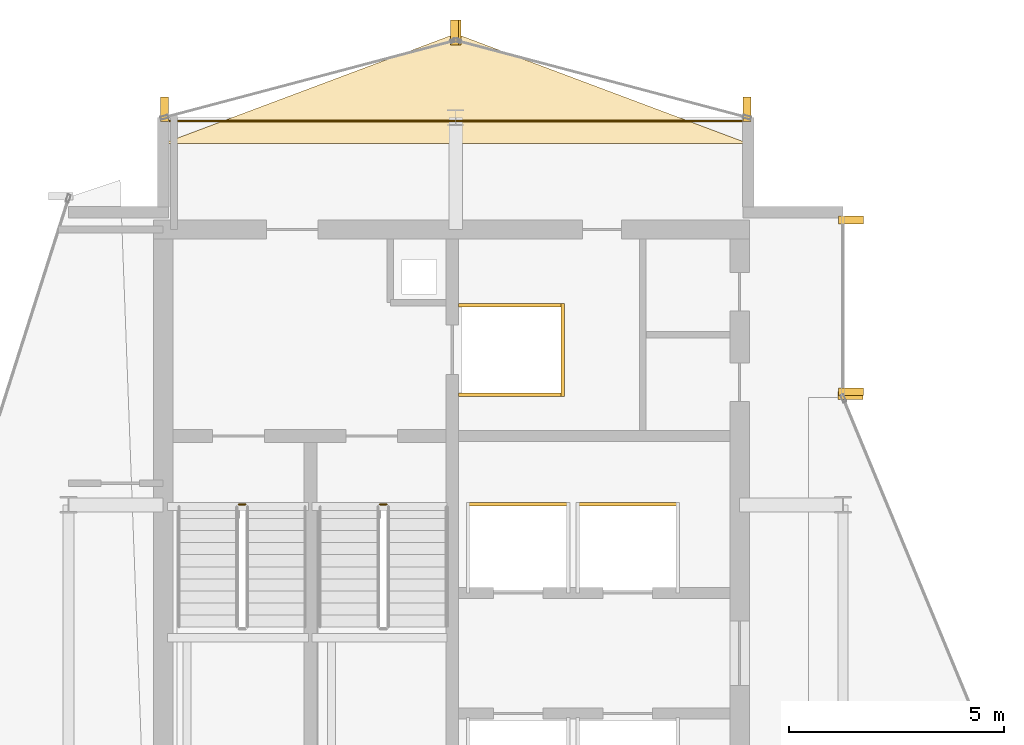
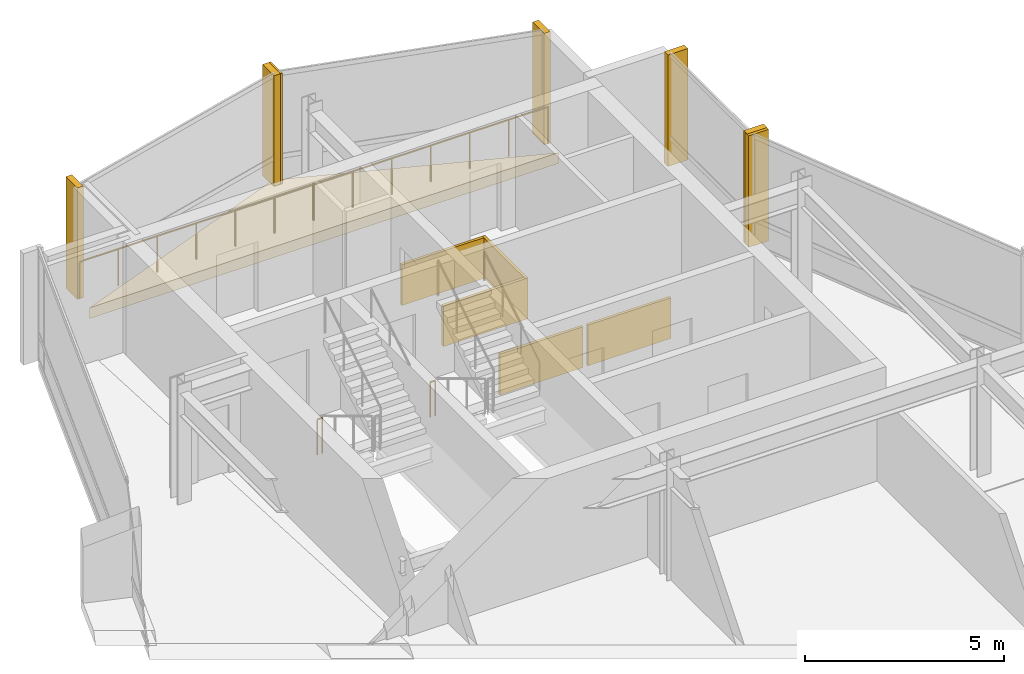
# One storey, part 19 of 19: 13 coverings, 3 railings.
"""IFC4 building model written with IfcOpenShell, lengths in metres."""

from ifc_helpers import new_model, si_unit, direction, frame, origin, origin_2d, place, context, subcontext, project, spatial, polyline, rectangle, circle, outline, extrude, material, layer, layer_set, type_object, element, save


model = new_model("IFC4")

# Units and contexts
model_context = context("Model", 3, precision=1e-05, world=origin(), true_north=direction((0.0, 1.0)))
body_context = subcontext(model_context, "Body", "Model", "MODEL_VIEW")
ifc_project = project(units=[si_unit("LENGTHUNIT", "METRE"), si_unit("AREAUNIT", "SQUARE_METRE"), si_unit("VOLUMEUNIT", "CUBIC_METRE"), si_unit("PLANEANGLEUNIT", "RADIAN"), si_unit("MASSUNIT", "GRAM", prefix="KILO")], contexts=[model_context])

# Site, building, storey
site_placement = place(None, origin())
site = spatial("IfcSite", under=ifc_project, at=site_placement, CompositionType="ELEMENT")
building_placement = place(site_placement, origin())
building = spatial("IfcBuilding", under=site, at=building_placement, Name="Solvaryn Broadcast Tower", CompositionType="ELEMENT")
storey_placement = place(building_placement, frame((0.0, 0.0, 266.699951171875)))
storey = spatial("IfcBuildingStorey", under=building, at=storey_placement, Name="L67", CompositionType="ELEMENT", Elevation=266.699951171875)

# Coverings
ifc_material_1 = material(Name="Fire-Rated Gypsum Shaftwall Liner", Category="concrete")
ifc_layer_1 = layer(ifc_material_1, 0.080078125)
ifc_layer_set_1 = layer_set([ifc_layer_1], Name="CV-SHAFT-LINER")
covering_type_1 = type_object("IfcCoveringType", Name="CV-SHAFT-LINER", PredefinedType="CLADDING", material=ifc_layer_set_1)
for number, where, z_axis, x_axis, name in (
    (1, (19.300048828125, 40.639892578125, 0.0), (0.0, 0.0, 1.0), (1.0, 0.0, 0.0), "L67 FL1 Hoistway Shaft Liner North"),
    (2, (19.300048828125, 38.56005859375, 0.0), (0.0, 0.0, 1.0), (1.0, 0.0, 0.0), "L67 FL1 Hoistway Shaft Liner South"),
):
    element("IfcCovering", number, at=place(storey_placement, frame(where, z_axis=z_axis, x_axis=x_axis)), inside=storey, type_object=covering_type_1, Name=name, PredefinedType="CLADDING", context=body_context, shape_type="SweptSolid", body=[
        extrude(rectangle(XDim=2.4599609375, YDim=0.080078125, at=origin_2d()), origin(), (0.0, 0.0, 1.0), 1.25),
    ])
covering_1_placement = place(storey_placement, frame((20.489990234375, 39.60009765625, 0.0), z_axis=(0.0, 0.0, 1.0), x_axis=(1.0, 0.0, 0.0)))
element("IfcCovering", 3, at=covering_1_placement, inside=storey, type_object=covering_type_1, Name="L67 FL1 Hoistway Shaft Liner East", PredefinedType="CLADDING", context=body_context, shape_type="SweptSolid", body=[
    extrude(rectangle(XDim=0.080078125, YDim=2.159912109375, at=origin_2d()), origin(), (0.0, 0.0, 1.0), 1.25),
])
for number, where, z_axis, x_axis, name in (
    (4, (19.449951171875, 36.014892578125, 0.0), (0.0, 0.0, 1.0), (1.0, 0.0, 0.0), "L67 PH3 Hoistway Shaft Liner North"),
    (5, (22.0, 36.014892578125, 0.0), (0.0, 0.0, 1.0), (1.0, 0.0, 0.0), "L67 PH4 Hoistway Shaft Liner North"),
):
    element("IfcCovering", number, at=place(storey_placement, frame(where, z_axis=z_axis, x_axis=x_axis)), inside=storey, type_object=covering_type_1, Name=name, PredefinedType="CLADDING", context=body_context, shape_type="SweptSolid", body=[
        extrude(rectangle(XDim=2.409912109375, YDim=0.080078125, at=origin_2d()), origin(), (0.0, 0.0, 1.0), 1.25),
    ])
ifc_material_2 = material(Name="Extruded Architectural Terracotta Fin", Category="masonry")
ifc_layer_2 = layer(ifc_material_2, 0.179931640625)
ifc_layer_set_2 = layer_set([ifc_layer_2], Name="CV-TC-FIN")
covering_type_2 = type_object("IfcCoveringType", Name="CV-TC-FIN", PredefinedType="USERDEFINED", material=ifc_layer_set_2)
for number, where, z_axis, x_axis, name in (
    (6, (27.1875, 42.6201171875, 0.0), (0.0, 0.0, 1.0), (1.0, 0.0, 0.0), "L67 Terracotta Vertical Fin FIN-L67-IV-M00"),
    (7, (27.1875, 38.6298828125, 0.0), (0.0, 0.0, 1.0), (1.0, 0.0, 0.0), "L67 Terracotta Vertical Fin FIN-L67-IV-M01"),
    (8, (27.177978515625, 38.541259765625, 0.0), (0.0, 0.0, 1.0), (1.0, 0.0, 0.0), "L67 Terracotta Vertical Fin FIN-L67-CN2-M01"),
):
    element("IfcCovering", number, at=place(storey_placement, frame(where, z_axis=z_axis, x_axis=x_axis)), inside=storey, type_object=covering_type_2, Name=name, ObjectType="FIN", PredefinedType="USERDEFINED", context=body_context, shape_type="SweptSolid", body=[
        extrude(rectangle(XDim=0.580078125, YDim=0.179931640625, at=origin_2d()), origin(), (0.0, 0.0, 1.0), 3.419921875),
    ])
for number, where, z_axis, x_axis, name in (
    (9, (24.77099609375, 45.1953125, 0.0), (0.0, 0.0, 1.0), (1.0, 0.0, 0.0), "L67 Terracotta Vertical Fin FIN-L67-NT1-M00"),
    (10, (18.029052734375, 46.979736328125, 0.0), (0.0, 0.0, 1.0), (1.0, 0.0, 0.0), "L67 Terracotta Vertical Fin FIN-L67-NT1-M01"),
    (11, (17.970947265625, 46.979736328125, 0.0), (0.0, 0.0, 1.0), (1.0, 0.0, 0.0), "L67 Terracotta Vertical Fin FIN-L67-NT2-M00"),
    (12, (11.22900390625, 45.1953125, 0.0), (0.0, 0.0, 1.0), (1.0, 0.0, 0.0), "L67 Terracotta Vertical Fin FIN-L67-NT2-M01"),
):
    element("IfcCovering", number, at=place(storey_placement, frame(where, z_axis=z_axis, x_axis=x_axis)), inside=storey, type_object=covering_type_2, Name=name, ObjectType="FIN", PredefinedType="USERDEFINED", context=body_context, shape_type="SweptSolid", body=[
        extrude(rectangle(XDim=0.179931640625, YDim=0.580078125, at=origin_2d()), origin(), (0.0, 0.0, 1.0), 3.419921875),
    ])
ifc_material_3 = material(Name="Sculpted Architectural Terracotta Wave Fascia", Category="masonry")
ifc_layer_3 = layer(ifc_material_3, 0.340087890625)
ifc_layer_set_3 = layer_set([ifc_layer_3], Name="CV-WAVE-TRAY")
covering_type_3 = type_object("IfcCoveringType", Name="CV-WAVE-TRAY", PredefinedType="CLADDING", material=ifc_layer_set_3)
covering_2_placement = place(storey_placement, frame((0.0, 0.0, -0.300048828125)))
element("IfcCovering", 13, at=covering_2_placement, inside=storey, type_object=covering_type_3, Name="L67 North Curved Wing Deck", PredefinedType="CLADDING", context=body_context, shape_type="SweptSolid", body=[
    extrude(outline(polyline([(11.199951171875, 44.39990234375), (24.800048828125, 44.39990234375), (18.0, 46.949951171875), (11.199951171875, 44.39990234375)])), origin(), (0.0, 0.0, 1.0), 0.330078125),
])

# Railings
ifc_material_4 = material(Name="Painted Steel Stair Well Guard", Category="steel")
railing_type_1 = type_object("IfcRailingType", Name="RL-STAIR-GUARD", PredefinedType="BALUSTRADE", material=ifc_material_4)
railing_1_placement = place(storey_placement, frame((12.9599609375, 36.010009765625, 0.0)))
element("IfcRailing", 14, at=railing_1_placement, inside=storey, type_object=railing_type_1, Name="L67 ST1 stair guard 4", PredefinedType="BALUSTRADE", context=body_context, shape_type="SweptSolid", body=[
    extrude(circle(Radius=0.02392578125, at=origin_2d()), frame((0.0, 0.0, 1.076171875), z_axis=(1.0, 0.0, 0.0), x_axis=(0.0, 1.0, 0.0)), (0.0, 0.0, 1.0), 0.150146484375),
    extrude(circle(Radius=0.02099609375, at=origin_2d()), origin(), (0.0, 0.0, 1.0), 1.052001953125),
    extrude(circle(Radius=0.02099609375, at=origin_2d()), frame((0.150146484375, 0.0, 0.0)), (0.0, 0.0, 1.0), 1.052001953125),
])
railing_2_placement = place(storey_placement, frame((16.239990234375, 36.010009765625, 0.0)))
element("IfcRailing", 15, at=railing_2_placement, inside=storey, type_object=railing_type_1, Name="L67 ST2 stair guard 4", PredefinedType="BALUSTRADE", context=body_context, shape_type="SweptSolid", body=[
    extrude(circle(Radius=0.02392578125, at=origin_2d()), frame((0.0, 0.0, 1.076171875), z_axis=(1.0, 0.0, 0.0), x_axis=(0.0, 1.0, 0.0)), (0.0, 0.0, 1.0), 0.14990234375),
    extrude(circle(Radius=0.02099609375, at=origin_2d()), origin(), (0.0, 0.0, 1.0), 1.052001953125),
    extrude(circle(Radius=0.02099609375, at=origin_2d()), frame((0.14990234375, 0.0, 0.0)), (0.0, 0.0, 1.0), 1.052001953125),
])
ifc_material_5 = material(Name="Stainless Steel and Laminated Glass Guard", Category="steel")
railing_type_2 = type_object("IfcRailingType", Name="RL-TER-1150", PredefinedType="BALUSTRADE", material=ifc_material_5)
railing_3_placement = place(storey_placement, frame((11.199951171875, 44.919921875, 0.0)))
element("IfcRailing", 16, at=railing_3_placement, inside=storey, type_object=railing_type_2, Name="L67 North Wing Spandrel Edge Guard", PredefinedType="BALUSTRADE", context=body_context, shape_type="SweptSolid", body=[
    extrude(circle(Radius=0.02392578125, at=origin_2d()), frame((0.0, 0.0, 1.1259765625), z_axis=(1.0, 0.0, 0.0), x_axis=(0.0, 1.0, 0.0)), (0.0, 0.0, 1.0), 13.60009765625),
    extrude(circle(Radius=0.02099609375, at=origin_2d()), origin(), (0.0, 0.0, 1.0), 1.101806640625),
    extrude(circle(Radius=0.02099609375, at=origin_2d()), frame((1.13330078125, 0.0, 0.0)), (0.0, 0.0, 1.0), 1.101806640625),
    extrude(circle(Radius=0.02099609375, at=origin_2d()), frame((2.2666015625, 0.0, 0.0)), (0.0, 0.0, 1.0), 1.101806640625),
    extrude(circle(Radius=0.02099609375, at=origin_2d()), frame((3.39990234375, 0.0, 0.0)), (0.0, 0.0, 1.0), 1.101806640625),
    extrude(circle(Radius=0.02099609375, at=origin_2d()), frame((4.533447265625, 0.0, 0.0)), (0.0, 0.0, 1.0), 1.101806640625),
    extrude(circle(Radius=0.02099609375, at=origin_2d()), frame((5.666748046875, 0.0, 0.0)), (0.0, 0.0, 1.0), 1.101806640625),
    extrude(circle(Radius=0.02099609375, at=origin_2d()), frame((6.800048828125, 0.0, 0.0)), (0.0, 0.0, 1.0), 1.101806640625),
    extrude(circle(Radius=0.02099609375, at=origin_2d()), frame((7.933349609375, 0.0, 0.0)), (0.0, 0.0, 1.0), 1.101806640625),
    extrude(circle(Radius=0.02099609375, at=origin_2d()), frame((9.066650390625, 0.0, 0.0)), (0.0, 0.0, 1.0), 1.101806640625),
    extrude(circle(Radius=0.02099609375, at=origin_2d()), frame((10.2001953125, 0.0, 0.0)), (0.0, 0.0, 1.0), 1.101806640625),
    extrude(circle(Radius=0.02099609375, at=origin_2d()), frame((11.33349609375, 0.0, 0.0)), (0.0, 0.0, 1.0), 1.101806640625),
    extrude(circle(Radius=0.02099609375, at=origin_2d()), frame((12.466796875, 0.0, 0.0)), (0.0, 0.0, 1.0), 1.101806640625),
    extrude(circle(Radius=0.02099609375, at=origin_2d()), frame((13.60009765625, 0.0, 0.0)), (0.0, 0.0, 1.0), 1.101806640625),
])

save(model, "model.ifc")
